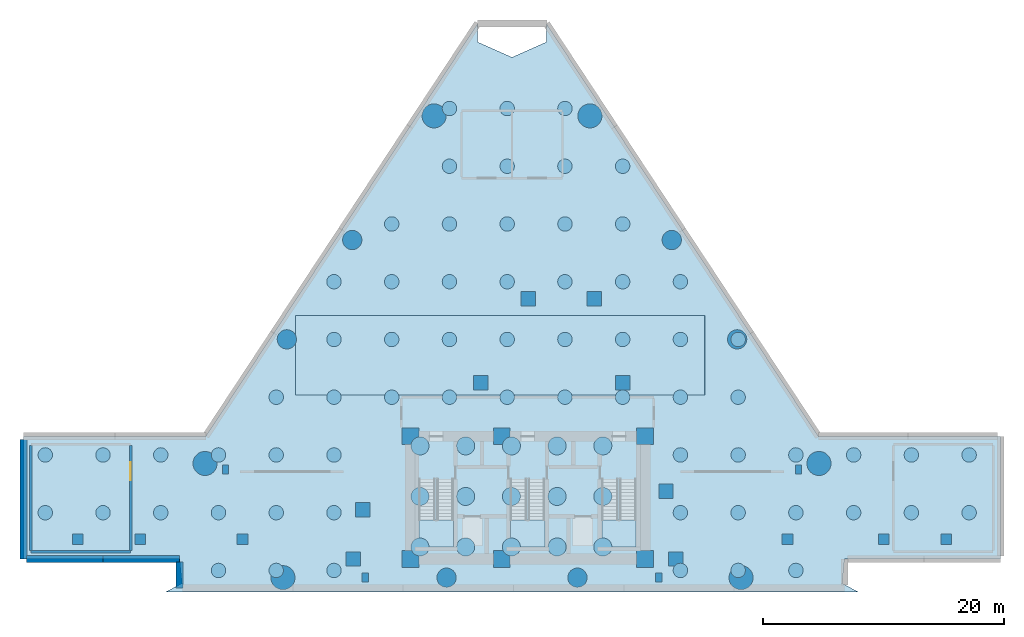
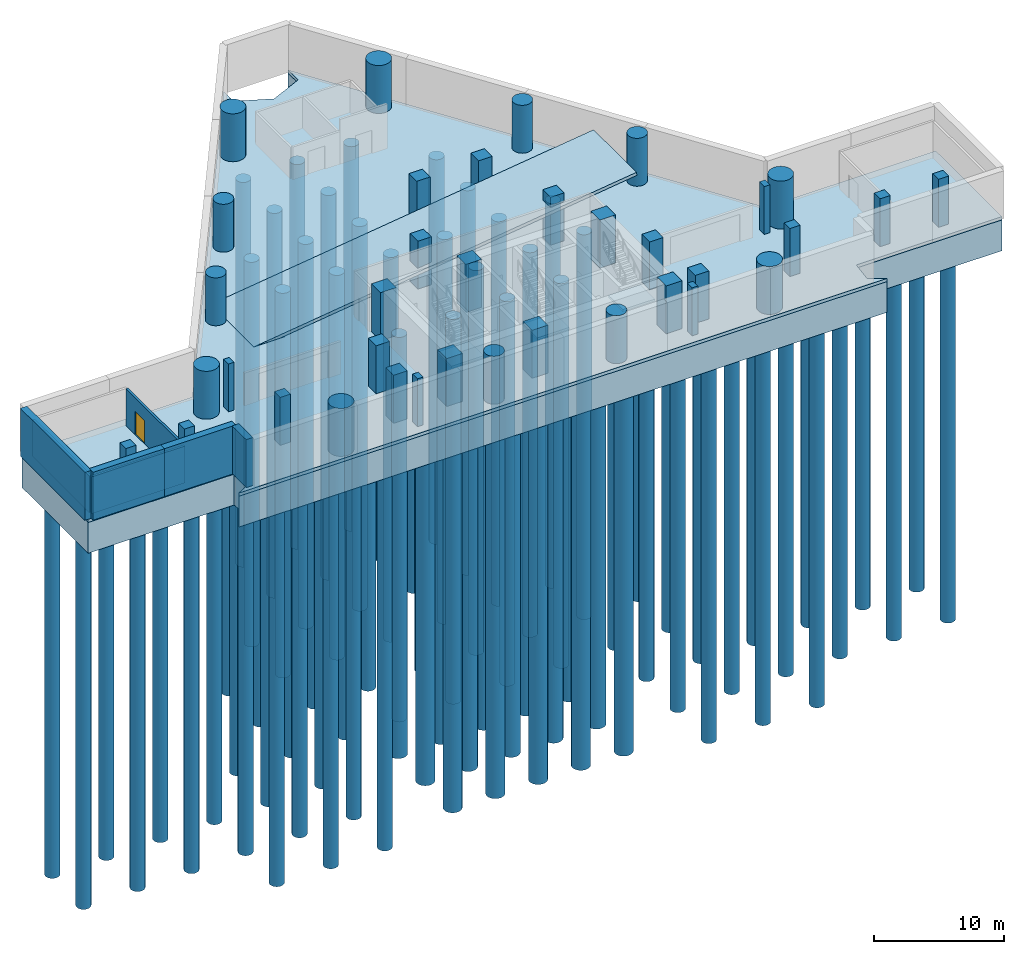
# One storey, part 1 of 5: 81 piles, 36 columns, 7 walls, 5 slabs, 1 door, 1 footing, 1 opening, 3 elements without a shape of their own.
"""IFC4 building model written with IfcOpenShell, lengths in metres."""

from ifc_helpers import new_model, si_unit, direction, frame, frame_2d, origin, origin_2d, place, context, subcontext, project, spatial, polyline, rectangle, circle, outline, extrude, material, layer, layer_set, material_profile, profile_set, type_object, element, fill, aggregate, save


model = new_model("IFC4")

# Units and contexts
model_context = context("Model", 3, precision=1e-05, world=origin(), true_north=direction((0.0, 1.0)))
body_context = subcontext(model_context, "Body", "Model", "MODEL_VIEW")
ifc_project = project(units=[si_unit("LENGTHUNIT", "METRE"), si_unit("AREAUNIT", "SQUARE_METRE"), si_unit("VOLUMEUNIT", "CUBIC_METRE"), si_unit("PLANEANGLEUNIT", "RADIAN"), si_unit("MASSUNIT", "GRAM", prefix="KILO")], contexts=[model_context])

# Site, building, storey
site_placement = place(None, origin())
site = spatial("IfcSite", under=ifc_project, at=site_placement, CompositionType="ELEMENT")
building_placement = place(site_placement, origin())
building = spatial("IfcBuilding", under=site, at=building_placement, Name="Almagre Mirador Tower", CompositionType="ELEMENT")
storey_placement = place(building_placement, frame((0.0, 0.0, -9.0)))
storey = spatial("IfcBuildingStorey", under=building, at=storey_placement, Name="B02", CompositionType="ELEMENT", Elevation=-9.0)

# Footing
ifc_material_1 = material(Name="Concrete C50/60", Category="concrete")
ifc_layer_1 = layer(ifc_material_1, 3.199951171875)
ifc_layer_set_1 = layer_set([ifc_layer_1], Name="Concrete C50/60")
footing_type = type_object("IfcFootingType", Name="FTG-MAT-3200", PredefinedType="PILE_CAP", material=ifc_layer_set_1)
footing_placement = place(storey_placement, frame((0.0, 0.0, -3.199951171875)))
element("IfcFooting", 1, at=footing_placement, inside=storey, type_object=footing_type, Name="Unified piled mat-raft foundation MAT-01", PredefinedType="PILE_CAP", context=body_context, shape_type="SweptSolid", body=[
    extrude(outline(polyline([(33.138916015625, 49.05810546875), (10.532958984375, 14.75), (-4.60009765625, 14.75), (-4.60009765625, 4.550048828125), (8.35205078125, 4.550048828125), (8.547119140625, 2.52587890625), (7.199951171875, 1.800048828125), (64.800048828125, 1.800048828125), (63.452880859375, 2.52587890625), (63.64794921875, 4.550048828125), (76.60009765625, 4.550048828125), (76.60009765625, 14.75), (61.467041015625, 14.75), (38.861083984375, 49.05810546875), (38.861083984375, 47.528076171875), (36.0, 46.256103515625), (33.138916015625, 47.528076171875), (33.138916015625, 49.05810546875)])), origin(), (0.0, 0.0, 1.0), 3.199951171875),
])

# Piles
ifc_material_2 = material(Name="Concrete C45/55", Category="concrete")
ifc_material_profile_1 = material_profile(ifc_material_2, circle(Radius=0.60009765625, at=origin_2d()), Name="PILE1200D")
ifc_profile_set_1 = profile_set([ifc_material_profile_1], Name="Concrete C45/55")
pile_type_1 = type_object("IfcPileType", Name="PILE-BORED-1200", PredefinedType="BORED", material=ifc_profile_set_1)
for number, where, z_axis, x_axis, name in (
    (2, (11.60009765625, 3.60009765625, -3.050048828125), (0.0, 0.0, -1.0), (1.0, 0.0, 0.0), "Perimeter bored pile PB-1200 01"),
    (3, (16.39990234375, 3.60009765625, -3.050048828125), (0.0, 0.0, -1.0), (1.0, 0.0, 0.0), "Perimeter bored pile PB-1200 02"),
    (4, (21.199951171875, 3.60009765625, -3.050048828125), (0.0, 0.0, -1.0), (1.0, 0.0, 0.0), "Perimeter bored pile PB-1200 03"),
    (5, (50.0, 3.60009765625, -3.050048828125), (0.0, 0.0, -1.0), (1.0, 0.0, 0.0), "Perimeter bored pile PB-1200 04"),
    (6, (54.800048828125, 3.60009765625, -3.050048828125), (0.0, 0.0, -1.0), (1.0, 0.0, 0.0), "Perimeter bored pile PB-1200 05"),
    (7, (59.60009765625, 3.60009765625, -3.050048828125), (0.0, 0.0, -1.0), (1.0, 0.0, 0.0), "Perimeter bored pile PB-1200 06"),
    (8, (-2.800048828125, 8.39990234375, -3.050048828125), (0.0, 0.0, -1.0), (1.0, 0.0, 0.0), "Perimeter bored pile PB-1200 07"),
    (9, (2.0, 8.39990234375, -3.050048828125), (0.0, 0.0, -1.0), (1.0, 0.0, 0.0), "Perimeter bored pile PB-1200 08"),
    (10, (6.800048828125, 8.39990234375, -3.050048828125), (0.0, 0.0, -1.0), (1.0, 0.0, 0.0), "Perimeter bored pile PB-1200 09"),
    (11, (11.60009765625, 8.39990234375, -3.050048828125), (0.0, 0.0, -1.0), (1.0, 0.0, 0.0), "Perimeter bored pile PB-1200 10"),
    (12, (16.39990234375, 8.39990234375, -3.050048828125), (0.0, 0.0, -1.0), (1.0, 0.0, 0.0), "Perimeter bored pile PB-1200 11"),
    (13, (21.199951171875, 8.39990234375, -3.050048828125), (0.0, 0.0, -1.0), (1.0, 0.0, 0.0), "Perimeter bored pile PB-1200 12"),
    (14, (50.0, 8.39990234375, -3.050048828125), (0.0, 0.0, -1.0), (1.0, 0.0, 0.0), "Perimeter bored pile PB-1200 13"),
    (15, (54.800048828125, 8.39990234375, -3.050048828125), (0.0, 0.0, -1.0), (1.0, 0.0, 0.0), "Perimeter bored pile PB-1200 14"),
    (16, (59.60009765625, 8.39990234375, -3.050048828125), (0.0, 0.0, -1.0), (1.0, 0.0, 0.0), "Perimeter bored pile PB-1200 15"),
    (17, (64.39990234375, 8.39990234375, -3.050048828125), (0.0, 0.0, -1.0), (1.0, 0.0, 0.0), "Perimeter bored pile PB-1200 16"),
    (18, (69.199951171875, 8.39990234375, -3.050048828125), (0.0, 0.0, -1.0), (1.0, 0.0, 0.0), "Perimeter bored pile PB-1200 17"),
    (19, (74.0, 8.39990234375, -3.050048828125), (0.0, 0.0, -1.0), (1.0, 0.0, 0.0), "Perimeter bored pile PB-1200 18"),
    (20, (-2.800048828125, 13.199951171875, -3.050048828125), (0.0, 0.0, -1.0), (1.0, 0.0, 0.0), "Perimeter bored pile PB-1200 19"),
    (21, (2.0, 13.199951171875, -3.050048828125), (0.0, 0.0, -1.0), (1.0, 0.0, 0.0), "Perimeter bored pile PB-1200 20"),
    (22, (6.800048828125, 13.199951171875, -3.050048828125), (0.0, 0.0, -1.0), (1.0, 0.0, 0.0), "Perimeter bored pile PB-1200 21"),
    (23, (11.60009765625, 13.199951171875, -3.050048828125), (0.0, 0.0, -1.0), (1.0, 0.0, 0.0), "Perimeter bored pile PB-1200 22"),
    (24, (16.39990234375, 13.199951171875, -3.050048828125), (0.0, 0.0, -1.0), (1.0, 0.0, 0.0), "Perimeter bored pile PB-1200 23"),
    (25, (21.199951171875, 13.199951171875, -3.050048828125), (0.0, 0.0, -1.0), (1.0, 0.0, 0.0), "Perimeter bored pile PB-1200 24"),
    (26, (50.0, 13.199951171875, -3.050048828125), (0.0, 0.0, -1.0), (1.0, 0.0, 0.0), "Perimeter bored pile PB-1200 25"),
    (27, (54.800048828125, 13.199951171875, -3.050048828125), (0.0, 0.0, -1.0), (1.0, 0.0, 0.0), "Perimeter bored pile PB-1200 26"),
    (28, (59.60009765625, 13.199951171875, -3.050048828125), (0.0, 0.0, -1.0), (1.0, 0.0, 0.0), "Perimeter bored pile PB-1200 27"),
    (29, (64.39990234375, 13.199951171875, -3.050048828125), (0.0, 0.0, -1.0), (1.0, 0.0, 0.0), "Perimeter bored pile PB-1200 28"),
    (30, (69.199951171875, 13.199951171875, -3.050048828125), (0.0, 0.0, -1.0), (1.0, 0.0, 0.0), "Perimeter bored pile PB-1200 29"),
    (31, (74.0, 13.199951171875, -3.050048828125), (0.0, 0.0, -1.0), (1.0, 0.0, 0.0), "Perimeter bored pile PB-1200 30"),
    (32, (16.39990234375, 18.0, -3.050048828125), (0.0, 0.0, -1.0), (1.0, 0.0, 0.0), "Perimeter bored pile PB-1200 31"),
    (33, (21.199951171875, 18.0, -3.050048828125), (0.0, 0.0, -1.0), (1.0, 0.0, 0.0), "Perimeter bored pile PB-1200 32"),
    (34, (26.0, 18.0, -3.050048828125), (0.0, 0.0, -1.0), (1.0, 0.0, 0.0), "Perimeter bored pile PB-1200 33"),
    (35, (30.800048828125, 18.0, -3.050048828125), (0.0, 0.0, -1.0), (1.0, 0.0, 0.0), "Perimeter bored pile PB-1200 34"),
    (36, (35.60009765625, 18.0, -3.050048828125), (0.0, 0.0, -1.0), (1.0, 0.0, 0.0), "Perimeter bored pile PB-1200 35"),
    (37, (40.39990234375, 18.0, -3.050048828125), (0.0, 0.0, -1.0), (1.0, 0.0, 0.0), "Perimeter bored pile PB-1200 36"),
    (38, (45.199951171875, 18.0, -3.050048828125), (0.0, 0.0, -1.0), (1.0, 0.0, 0.0), "Perimeter bored pile PB-1200 37"),
    (39, (50.0, 18.0, -3.050048828125), (0.0, 0.0, -1.0), (1.0, 0.0, 0.0), "Perimeter bored pile PB-1200 38"),
    (40, (54.800048828125, 18.0, -3.050048828125), (0.0, 0.0, -1.0), (1.0, 0.0, 0.0), "Perimeter bored pile PB-1200 39"),
    (41, (21.199951171875, 22.800048828125, -3.050048828125), (0.0, 0.0, -1.0), (1.0, 0.0, 0.0), "Perimeter bored pile PB-1200 40"),
    (42, (26.0, 22.800048828125, -3.050048828125), (0.0, 0.0, -1.0), (1.0, 0.0, 0.0), "Perimeter bored pile PB-1200 41"),
    (43, (30.800048828125, 22.800048828125, -3.050048828125), (0.0, 0.0, -1.0), (1.0, 0.0, 0.0), "Perimeter bored pile PB-1200 42"),
    (44, (35.60009765625, 22.800048828125, -3.050048828125), (0.0, 0.0, -1.0), (1.0, 0.0, 0.0), "Perimeter bored pile PB-1200 43"),
    (45, (40.39990234375, 22.800048828125, -3.050048828125), (0.0, 0.0, -1.0), (1.0, 0.0, 0.0), "Perimeter bored pile PB-1200 44"),
    (46, (45.199951171875, 22.800048828125, -3.050048828125), (0.0, 0.0, -1.0), (1.0, 0.0, 0.0), "Perimeter bored pile PB-1200 45"),
    (47, (50.0, 22.800048828125, -3.050048828125), (0.0, 0.0, -1.0), (1.0, 0.0, 0.0), "Perimeter bored pile PB-1200 46"),
    (48, (54.800048828125, 22.800048828125, -3.050048828125), (0.0, 0.0, -1.0), (1.0, 0.0, 0.0), "Perimeter bored pile PB-1200 47"),
    (49, (21.199951171875, 27.60009765625, -3.050048828125), (0.0, 0.0, -1.0), (1.0, 0.0, 0.0), "Perimeter bored pile PB-1200 48"),
    (50, (26.0, 27.60009765625, -3.050048828125), (0.0, 0.0, -1.0), (1.0, 0.0, 0.0), "Perimeter bored pile PB-1200 49"),
    (51, (30.800048828125, 27.60009765625, -3.050048828125), (0.0, 0.0, -1.0), (1.0, 0.0, 0.0), "Perimeter bored pile PB-1200 50"),
    (52, (35.60009765625, 27.60009765625, -3.050048828125), (0.0, 0.0, -1.0), (1.0, 0.0, 0.0), "Perimeter bored pile PB-1200 51"),
    (53, (40.39990234375, 27.60009765625, -3.050048828125), (0.0, 0.0, -1.0), (1.0, 0.0, 0.0), "Perimeter bored pile PB-1200 52"),
    (54, (45.199951171875, 27.60009765625, -3.050048828125), (0.0, 0.0, -1.0), (1.0, 0.0, 0.0), "Perimeter bored pile PB-1200 53"),
    (55, (50.0, 27.60009765625, -3.050048828125), (0.0, 0.0, -1.0), (1.0, 0.0, 0.0), "Perimeter bored pile PB-1200 54"),
    (56, (26.0, 32.39990234375, -3.050048828125), (0.0, 0.0, -1.0), (1.0, 0.0, 0.0), "Perimeter bored pile PB-1200 55"),
    (57, (30.800048828125, 32.39990234375, -3.050048828125), (0.0, 0.0, -1.0), (1.0, 0.0, 0.0), "Perimeter bored pile PB-1200 56"),
    (58, (35.60009765625, 32.39990234375, -3.050048828125), (0.0, 0.0, -1.0), (1.0, 0.0, 0.0), "Perimeter bored pile PB-1200 57"),
    (59, (40.39990234375, 32.39990234375, -3.050048828125), (0.0, 0.0, -1.0), (1.0, 0.0, 0.0), "Perimeter bored pile PB-1200 58"),
    (60, (45.199951171875, 32.39990234375, -3.050048828125), (0.0, 0.0, -1.0), (1.0, 0.0, 0.0), "Perimeter bored pile PB-1200 59"),
    (61, (30.800048828125, 37.199951171875, -3.050048828125), (0.0, 0.0, -1.0), (1.0, 0.0, 0.0), "Perimeter bored pile PB-1200 60"),
    (62, (35.60009765625, 37.199951171875, -3.050048828125), (0.0, 0.0, -1.0), (1.0, 0.0, 0.0), "Perimeter bored pile PB-1200 61"),
    (63, (40.39990234375, 37.199951171875, -3.050048828125), (0.0, 0.0, -1.0), (1.0, 0.0, 0.0), "Perimeter bored pile PB-1200 62"),
    (64, (45.199951171875, 37.199951171875, -3.050048828125), (0.0, 0.0, -1.0), (1.0, 0.0, 0.0), "Perimeter bored pile PB-1200 63"),
    (65, (30.800048828125, 42.0, -3.050048828125), (0.0, 0.0, -1.0), (1.0, 0.0, 0.0), "Perimeter bored pile PB-1200 64"),
    (66, (35.60009765625, 42.0, -3.050048828125), (0.0, 0.0, -1.0), (1.0, 0.0, 0.0), "Perimeter bored pile PB-1200 65"),
    (67, (40.39990234375, 42.0, -3.050048828125), (0.0, 0.0, -1.0), (1.0, 0.0, 0.0), "Perimeter bored pile PB-1200 66"),
):
    element("IfcPile", number, at=place(storey_placement, frame(where, z_axis=z_axis, x_axis=x_axis)), inside=storey, type_object=pile_type_1, Name=name, PredefinedType="BORED", context=body_context, shape_type="SweptSolid", body=[
        extrude(circle(Radius=0.60009765625, at=origin_2d()), origin(), (0.0, 0.0, 1.0), 36.14990234375),
    ])
ifc_material_3 = material(Name="Concrete C45/55", Category="concrete")
ifc_material_profile_2 = material_profile(ifc_material_3, circle(Radius=0.75, at=origin_2d()), Name="PILE1500D")
ifc_profile_set_2 = profile_set([ifc_material_profile_2], Name="Concrete C45/55")
pile_type_2 = type_object("IfcPileType", Name="PILE-BORED-1500", PredefinedType="BORED", material=ifc_profile_set_2)
for number, where, z_axis, x_axis, name in (
    (68, (28.35009765625, 5.550048828125, -3.050048828125), (0.0, 0.0, -1.0), (1.0, 0.0, 0.0), "Core bored pile PB-1500 01"),
    (69, (28.35009765625, 9.75, -3.050048828125), (0.0, 0.0, -1.0), (1.0, 0.0, 0.0), "Core bored pile PB-1500 02"),
    (70, (28.35009765625, 13.949951171875, -3.050048828125), (0.0, 0.0, -1.0), (1.0, 0.0, 0.0), "Core bored pile PB-1500 03"),
    (71, (32.14990234375, 5.550048828125, -3.050048828125), (0.0, 0.0, -1.0), (1.0, 0.0, 0.0), "Core bored pile PB-1500 04"),
    (72, (32.14990234375, 9.75, -3.050048828125), (0.0, 0.0, -1.0), (1.0, 0.0, 0.0), "Core bored pile PB-1500 05"),
    (73, (32.14990234375, 13.949951171875, -3.050048828125), (0.0, 0.0, -1.0), (1.0, 0.0, 0.0), "Core bored pile PB-1500 06"),
    (74, (35.949951171875, 5.550048828125, -3.050048828125), (0.0, 0.0, -1.0), (1.0, 0.0, 0.0), "Core bored pile PB-1500 07"),
    (75, (35.949951171875, 9.75, -3.050048828125), (0.0, 0.0, -1.0), (1.0, 0.0, 0.0), "Core bored pile PB-1500 08"),
    (76, (35.949951171875, 13.949951171875, -3.050048828125), (0.0, 0.0, -1.0), (1.0, 0.0, 0.0), "Core bored pile PB-1500 09"),
    (77, (39.75, 5.550048828125, -3.050048828125), (0.0, 0.0, -1.0), (1.0, 0.0, 0.0), "Core bored pile PB-1500 10"),
    (78, (39.75, 9.75, -3.050048828125), (0.0, 0.0, -1.0), (1.0, 0.0, 0.0), "Core bored pile PB-1500 11"),
    (79, (39.75, 13.949951171875, -3.050048828125), (0.0, 0.0, -1.0), (1.0, 0.0, 0.0), "Core bored pile PB-1500 12"),
    (80, (43.550048828125, 5.550048828125, -3.050048828125), (0.0, 0.0, -1.0), (1.0, 0.0, 0.0), "Core bored pile PB-1500 13"),
    (81, (43.550048828125, 9.75, -3.050048828125), (0.0, 0.0, -1.0), (1.0, 0.0, 0.0), "Core bored pile PB-1500 14"),
    (82, (43.550048828125, 13.949951171875, -3.050048828125), (0.0, 0.0, -1.0), (1.0, 0.0, 0.0), "Core bored pile PB-1500 15"),
):
    element("IfcPile", number, at=place(storey_placement, frame(where, z_axis=z_axis, x_axis=x_axis)), inside=storey, type_object=pile_type_2, Name=name, PredefinedType="BORED", context=body_context, shape_type="SweptSolid", body=[
        extrude(circle(Radius=0.75, at=origin_2d()), origin(), (0.0, 0.0, 1.0), 36.14990234375),
    ])

# Columns
ifc_material_4 = material(Name="Precast concrete C50/60", Category="concrete")
ifc_material_profile_3 = material_profile(ifc_material_4, rectangle(XDim=0.5, YDim=0.75, at=origin_2d()), Name="RC500X750")
ifc_profile_set_3 = profile_set([ifc_material_profile_3], Name="Precast concrete C50/60")
column_type_1 = type_object("IfcColumnType", Name="COL-PIL-500X750", PredefinedType="PILASTER", material=ifc_profile_set_3)
for number, where, z_axis, x_axis, name in (
    (83, (23.800048828125, 3.0, 0.0), (0.0, 0.0, 1.0), (1.0, 0.0, 0.0), "B02 expressed frame pilaster 01"),
    (84, (48.199951171875, 3.0, 0.0), (0.0, 0.0, 1.0), (1.0, 0.0, 0.0), "B02 expressed frame pilaster 02"),
    (85, (12.199951171875, 12.0, 0.0), (0.0, 0.0, 1.0), (1.0, 0.0, 0.0), "B02 expressed frame pilaster 03"),
    (86, (59.800048828125, 12.0, 0.0), (0.0, 0.0, 1.0), (1.0, 0.0, 0.0), "B02 expressed frame pilaster 04"),
):
    element("IfcColumn", number, at=place(storey_placement, frame(where, z_axis=z_axis, x_axis=x_axis)), inside=storey, type_object=column_type_1, Name=name, PredefinedType="PILASTER", context=body_context, shape_type="SweptSolid", body=[
        extrude(rectangle(XDim=0.5, YDim=0.75, at=origin_2d()), origin(), (0.0, 0.0, 1.0), 4.5),
    ])
ifc_material_5 = material(Name="Concrete C60/75", Category="concrete")
ifc_material_profile_4 = material_profile(ifc_material_5, rectangle(XDim=1.199951171875, YDim=1.199951171875, at=origin_2d()), Name="RC1200X1200")
ifc_profile_set_4 = profile_set([ifc_material_profile_4], Name="Concrete C60/75")
column_type_2 = type_object("IfcColumnType", Name="COL-RC1200", PredefinedType="COLUMN", material=ifc_profile_set_4)
for number, where, z_axis, x_axis, name in (
    (87, (22.800048828125, 4.550048828125, 0.0), (0.0, 0.0, 1.0), (1.0, 0.0, 0.0), "B02 interior transfer column MC1"),
    (88, (49.60009765625, 4.550048828125, 0.0), (0.0, 0.0, 1.0), (1.0, 0.0, 0.0), "B02 interior transfer column MC2"),
    (89, (48.800048828125, 10.199951171875, 0.0), (0.0, 0.0, 1.0), (1.0, 0.0, 0.0), "B02 interior transfer column MC3"),
    (90, (45.199951171875, 19.199951171875, 0.0), (0.0, 0.0, 1.0), (1.0, 0.0, 0.0), "B02 interior transfer column MC5"),
    (91, (42.85009765625, 26.199951171875, 0.0), (0.0, 0.0, 1.0), (1.0, 0.0, 0.0), "B02 interior transfer column MC6"),
    (92, (37.35009765625, 26.199951171875, 0.0), (0.0, 0.0, 1.0), (1.0, 0.0, 0.0), "B02 interior transfer column MC7"),
    (93, (33.39990234375, 19.199951171875, 0.0), (0.0, 0.0, 1.0), (1.0, 0.0, 0.0), "B02 interior transfer column MC8"),
    (94, (23.60009765625, 8.64990234375, 0.0), (0.0, 0.0, 1.0), (1.0, 0.0, 0.0), "B02 interior transfer column MC10"),
):
    element("IfcColumn", number, at=place(storey_placement, frame(where, z_axis=z_axis, x_axis=x_axis)), inside=storey, type_object=column_type_2, Name=name, PredefinedType="COLUMN", context=body_context, shape_type="SweptSolid", body=[
        extrude(rectangle(XDim=1.199951171875, YDim=1.199951171875, at=origin_2d()), origin(), (0.0, 0.0, 1.0), 4.5),
    ])
ifc_material_6 = material(Name="Concrete C60/75", Category="concrete")
ifc_material_profile_5 = material_profile(ifc_material_6, rectangle(XDim=1.39990234375, YDim=1.39990234375, at=origin_2d()), Name="RC1400X1400")
ifc_profile_set_5 = profile_set([ifc_material_profile_5], Name="Concrete C60/75")
column_type_3 = type_object("IfcColumnType", Name="COL-RC1400", PredefinedType="COLUMN", material=ifc_profile_set_5)
for number, where, z_axis, x_axis, name in (
    (95, (27.550048828125, 4.550048828125, 0.0), (0.0, 0.0, 1.0), (1.0, 0.0, 0.0), "B02 core spine column CC1"),
    (96, (35.14990234375, 4.550048828125, 0.0), (0.0, 0.0, 1.0), (1.0, 0.0, 0.0), "B02 core spine column CC2"),
    (97, (47.050048828125, 4.550048828125, 0.0), (0.0, 0.0, 1.0), (1.0, 0.0, 0.0), "B02 core spine column CC3"),
    (98, (27.550048828125, 14.75, 0.0), (0.0, 0.0, 1.0), (1.0, 0.0, 0.0), "B02 core spine column CC4"),
    (99, (35.14990234375, 14.75, 0.0), (0.0, 0.0, 1.0), (1.0, 0.0, 0.0), "B02 core spine column CC5"),
    (100, (47.050048828125, 14.75, 0.0), (0.0, 0.0, 1.0), (1.0, 0.0, 0.0), "B02 core spine column CC6"),
):
    element("IfcColumn", number, at=place(storey_placement, frame(where, z_axis=z_axis, x_axis=x_axis)), inside=storey, type_object=column_type_3, Name=name, PredefinedType="COLUMN", context=body_context, shape_type="SweptSolid", body=[
        extrude(rectangle(XDim=1.39990234375, YDim=1.39990234375, at=origin_2d()), origin(), (0.0, 0.0, 1.0), 4.5),
    ])
ifc_material_7 = material(Name="Concrete C70/85", Category="concrete")
ifc_material_profile_6 = material_profile(ifc_material_7, circle(Radius=0.800048828125, at=origin_2d()), Name="RC1600D")
ifc_profile_set_6 = profile_set([ifc_material_profile_6], Name="Concrete C70/85")
column_type_4 = type_object("IfcColumnType", Name="COL-RC1600D", PredefinedType="COLUMN", material=ifc_profile_set_6)
for number, where, z_axis, x_axis, name in (
    (101, (30.56005859375, 3.0, 0.0), (0.0, 0.0, 1.0), (1.0, 0.0, 0.0), "B02 perimeter column PC02"),
    (102, (41.43994140625, 3.0, 0.0), (0.0, 0.0, 1.0), (1.0, 0.0, 0.0), "B02 perimeter column PC03"),
    (103, (54.718017578125, 22.81201171875, 0.0), (0.0, 0.0, 1.0), (1.0, 0.0, 0.0), "B02 perimeter column PC06"),
    (104, (49.278076171875, 31.068115234375, 0.0), (0.0, 0.0, 1.0), (1.0, 0.0, 0.0), "B02 perimeter column PC07"),
    (105, (22.721923828125, 31.068115234375, 0.0), (0.0, 0.0, 1.0), (1.0, 0.0, 0.0), "B02 perimeter column PC10"),
    (106, (17.281982421875, 22.81201171875, 0.0), (0.0, 0.0, 1.0), (1.0, 0.0, 0.0), "B02 perimeter column PC11"),
):
    element("IfcColumn", number, at=place(storey_placement, frame(where, z_axis=z_axis, x_axis=x_axis)), inside=storey, type_object=column_type_4, Name=name, PredefinedType="COLUMN", context=body_context, shape_type="SweptSolid", body=[
        extrude(circle(Radius=0.800048828125, at=origin_2d()), origin(), (0.0, 0.0, 1.0), 4.5),
    ])
ifc_material_8 = material(Name="Concrete C70/85", Category="concrete")
ifc_material_profile_7 = material_profile(ifc_material_8, circle(Radius=1.0, at=origin_2d()), Name="RC2000D")
ifc_profile_set_7 = profile_set([ifc_material_profile_7], Name="Concrete C70/85")
column_type_5 = type_object("IfcColumnType", Name="COL-RC2000D", PredefinedType="COLUMN", material=ifc_profile_set_7)
for number, where, z_axis, x_axis, name in (
    (107, (16.9599609375, 3.0, 0.0), (0.0, 0.0, 1.0), (1.0, 0.0, 0.0), "B02 perimeter column PC01"),
    (108, (55.0400390625, 3.0, 0.0), (0.0, 0.0, 1.0), (1.0, 0.0, 0.0), "B02 perimeter column PC04"),
    (109, (61.51806640625, 12.491943359375, 0.0), (0.0, 0.0, 1.0), (1.0, 0.0, 0.0), "B02 perimeter column PC05"),
    (110, (42.47802734375, 41.387939453125, 0.0), (0.0, 0.0, 1.0), (1.0, 0.0, 0.0), "B02 perimeter column PC08"),
    (111, (29.52197265625, 41.387939453125, 0.0), (0.0, 0.0, 1.0), (1.0, 0.0, 0.0), "B02 perimeter column PC09"),
    (112, (10.48193359375, 12.491943359375, 0.0), (0.0, 0.0, 1.0), (1.0, 0.0, 0.0), "B02 perimeter column PC12"),
):
    element("IfcColumn", number, at=place(storey_placement, frame(where, z_axis=z_axis, x_axis=x_axis)), inside=storey, type_object=column_type_5, Name=name, PredefinedType="COLUMN", context=body_context, shape_type="SweptSolid", body=[
        extrude(circle(Radius=1.0, at=origin_2d()), origin(), (0.0, 0.0, 1.0), 4.5),
    ])
ifc_material_9 = material(Name="Concrete C60/75", Category="concrete")
ifc_material_profile_8 = material_profile(ifc_material_9, rectangle(XDim=0.89990234375, YDim=0.89990234375, at=origin_2d()), Name="RC900X900")
ifc_profile_set_8 = profile_set([ifc_material_profile_8], Name="Concrete C60/75")
column_type_6 = type_object("IfcColumnType", Name="COL-RC900", PredefinedType="COLUMN", material=ifc_profile_set_8)
for number, where, z_axis, x_axis, name in (
    (113, (-0.10009765625, 6.199951171875, 0.0), (0.0, 0.0, 1.0), (1.0, 0.0, 0.0), "B02 substructure wing column BCW1"),
    (114, (5.10009765625, 6.199951171875, 0.0), (0.0, 0.0, 1.0), (1.0, 0.0, 0.0), "B02 substructure wing column BCW2"),
    (115, (13.60009765625, 6.199951171875, 0.0), (0.0, 0.0, 1.0), (1.0, 0.0, 0.0), "B02 substructure wing column BCW3"),
    (116, (72.10009765625, 6.199951171875, 0.0), (0.0, 0.0, 1.0), (1.0, 0.0, 0.0), "B02 substructure wing column BCE1"),
    (117, (66.89990234375, 6.199951171875, 0.0), (0.0, 0.0, 1.0), (1.0, 0.0, 0.0), "B02 substructure wing column BCE2"),
    (118, (58.89990234375, 6.199951171875, 0.0), (0.0, 0.0, 1.0), (1.0, 0.0, 0.0), "B02 substructure wing column BCE3"),
):
    element("IfcColumn", number, at=place(storey_placement, frame(where, z_axis=z_axis, x_axis=x_axis)), inside=storey, type_object=column_type_6, Name=name, PredefinedType="COLUMN", context=body_context, shape_type="SweptSolid", body=[
        extrude(rectangle(XDim=0.89990234375, YDim=0.89990234375, at=origin_2d()), origin(), (0.0, 0.0, 1.0), 4.5),
    ])

# Slab
ifc_material_10 = material(Name="Concrete C45/55", Category="concrete")
ifc_layer_2 = layer(ifc_material_10, 0.300048828125)
ifc_layer_set_2 = layer_set([ifc_layer_2], Name="Concrete C45/55")
slab_type_1 = type_object("IfcSlabType", Name="SLB-BASE-300", PredefinedType="BASESLAB", material=ifc_layer_set_2)
slab_1_placement = place(storey_placement, frame((0.0, 0.0, -0.300048828125)))
element("IfcSlab", 119, at=slab_1_placement, inside=storey, type_object=slab_type_1, Name="B02 structural basement slab SB-300", PredefinedType="BASESLAB", context=body_context, shape_type="SweptSolid", body=[
    extrude(outline(polyline([(33.138916015625, 49.05810546875), (10.532958984375, 14.75), (-4.60009765625, 14.75), (-4.60009765625, 4.550048828125), (8.35205078125, 4.550048828125), (8.547119140625, 2.52587890625), (7.199951171875, 1.800048828125), (64.800048828125, 1.800048828125), (63.452880859375, 2.52587890625), (63.64794921875, 4.550048828125), (76.60009765625, 4.550048828125), (76.60009765625, 14.75), (61.467041015625, 14.75), (38.861083984375, 49.05810546875), (38.861083984375, 47.528076171875), (36.0, 46.256103515625), (33.138916015625, 47.528076171875), (33.138916015625, 49.05810546875)]), holes=[polyline([(18.0, 24.800048828125), (20.800048828125, 24.800048828125), (20.800048828125, 18.199951171875), (18.0, 18.199951171875), (18.0, 24.800048828125)])]), origin(), (0.0, 0.0, 1.0), 0.300048828125),
])

# Stair, slab
ifc_material_11 = material(Name="Concrete C45/55", Category="concrete")
stair_type = type_object("IfcStairType", Name="STR-DL-4500", PredefinedType="HALF_TURN_STAIR", material=ifc_material_11)
stair_1_placement = place(storey_placement, origin())
stair_1 = element("IfcStair", 120, at=stair_1_placement, inside=storey, type_object=stair_type, Name="B02 Protected exit stair ST-1", PredefinedType="HALF_TURN_STAIR")
ifc_material_12 = material(Name="Concrete C45/55", Category="concrete")
ifc_layer_3 = layer(ifc_material_12, 0.199951171875)
ifc_layer_set_3 = layer_set([ifc_layer_3], Name="Concrete C45/55")
slab_type_2 = type_object("IfcSlabType", Name="SLB-LND-200", PredefinedType="LANDING", material=ifc_layer_set_3)
slab_2_placement = place(storey_placement, frame((0.0, 0.0, 2.050048828125)))
slab_2 = element("IfcSlab", 121, at=slab_2_placement, type_object=slab_type_2, Name="ST-1 landing 1", PredefinedType="LANDING", context=body_context, shape_type="SweptSolid", body=[
    extrude(outline(polyline([(28.27490234375, 7.780029296875), (28.27490234375, 5.550048828125), (31.125, 5.550048828125), (31.125, 7.780029296875), (28.27490234375, 7.780029296875)])), origin(), (0.0, 0.0, 1.0), 0.199951171875),
])
aggregate(stair_1, [slab_2])

stair_2_placement = place(storey_placement, origin())
stair_2 = element("IfcStair", 122, at=stair_2_placement, inside=storey, type_object=stair_type, Name="B02 Protected exit stair ST-2", PredefinedType="HALF_TURN_STAIR")
slab_3_placement = place(storey_placement, frame((0.0, 0.0, 2.050048828125)))
slab_3 = element("IfcSlab", 123, at=slab_3_placement, type_object=slab_type_2, Name="ST-2 landing 1", PredefinedType="LANDING", context=body_context, shape_type="SweptSolid", body=[
    extrude(outline(polyline([(35.875, 7.780029296875), (35.875, 5.550048828125), (38.72509765625, 5.550048828125), (38.72509765625, 7.780029296875), (35.875, 7.780029296875)])), origin(), (0.0, 0.0, 1.0), 0.199951171875),
])
aggregate(stair_2, [slab_3])

stair_3_placement = place(storey_placement, origin())
stair_3 = element("IfcStair", 124, at=stair_3_placement, inside=storey, type_object=stair_type, Name="B02 Protected exit stair ST-3", PredefinedType="HALF_TURN_STAIR")
slab_4_placement = place(storey_placement, frame((0.0, 0.0, 2.050048828125)))
slab_4 = element("IfcSlab", 125, at=slab_4_placement, type_object=slab_type_2, Name="ST-3 landing 1", PredefinedType="LANDING", context=body_context, shape_type="SweptSolid", body=[
    extrude(outline(polyline([(43.47509765625, 7.780029296875), (43.47509765625, 5.550048828125), (46.324951171875, 5.550048828125), (46.324951171875, 7.780029296875), (43.47509765625, 7.780029296875)])), origin(), (0.0, 0.0, 1.0), 0.199951171875),
])
aggregate(stair_3, [slab_4])

# Slab
ifc_material_13 = material(Name="Concrete C45/55", Category="concrete")
ifc_layer_4 = layer(ifc_material_13, 0.300048828125)
ifc_layer_set_4 = layer_set([ifc_layer_4], Name="Concrete C45/55")
slab_type_3 = type_object("IfcSlabType", Name="SLB-RMP-300", PredefinedType="FLOOR", material=ifc_layer_set_4)
slab_5_placement = place(storey_placement, frame((18.0, 18.199951171875, 0.0), z_axis=(-0.131208719028, 0.0, 0.99135476599), x_axis=(0.99135476599, 0.0, 0.131208719028)))
element("IfcSlab", 126, at=slab_5_placement, inside=storey, type_object=slab_type_3, Name="Car park vehicular ramp R1 B02 flight", PredefinedType="FLOOR", context=body_context, shape_type="SweptSolid", body=[
    extrude(outline(polyline([(0.0, 0.0), (34.29650127928504, 0.0), (34.29650127928504, 6.60009765625), (0.0, 6.60009765625), (0.0, 0.0)])), origin(), (0.0, 0.0, -1.0), 0.300048828125),
])

# Walls
ifc_material_14 = material(Name="Gypsum acoustic stud partition", Category="other")
ifc_layer_5 = layer(ifc_material_14, 0.199951171875)
ifc_layer_set_5 = layer_set([ifc_layer_5], Name="Gypsum acoustic stud partition")
wall_type_1 = type_object("IfcWallType", Name="WAL-PRT-200-EI60", PredefinedType="PARTITIONING", material=ifc_layer_set_5)
wall_1_placement = place(storey_placement, frame((-4.0, 5.14990234375, 0.0), z_axis=(0.0, 0.0, 1.0), x_axis=(1.0, 0.0, 0.0)))
element("IfcWall", 127, at=wall_1_placement, inside=storey, type_object=wall_type_1, Name="B02 West District Chilled-Water Plant Room S fire partition", PredefinedType="PARTITIONING", context=body_context, shape_type="SweptSolid", body=[
    extrude(rectangle(XDim=8.300048828125, YDim=0.199951171875, at=frame_2d((4.14990234375, 0.0))), origin(), (0.0, 0.0, 1.0), 3.464111328125),
])
wall_2_placement = place(storey_placement, frame((-4.0, 5.2548828125, 0.0), z_axis=(0.0, 0.0, 1.0), x_axis=(0.0, 1.0, 0.0)))
element("IfcWall", 128, at=wall_2_placement, inside=storey, type_object=wall_type_1, Name="B02 West District Chilled-Water Plant Room W fire partition", PredefinedType="PARTITIONING", context=body_context, shape_type="SweptSolid", body=[
    extrude(rectangle(XDim=8.740234375, YDim=0.199951171875, at=frame_2d((4.3701171875, 0.0))), origin(), (0.0, 0.0, 1.0), 3.464111328125),
])

# Wall, opening, door
wall_3_placement = place(storey_placement, frame((4.300048828125, 5.2548828125, 0.0), z_axis=(0.0, 0.0, 1.0), x_axis=(0.0, 1.0, 0.0)))
wall_3 = element("IfcWall", 129, at=wall_3_placement, inside=storey, type_object=wall_type_1, Name="B02 West District Chilled-Water Plant Room E fire partition", PredefinedType="PARTITIONING", context=body_context, shape_type="SweptSolid", body=[
    extrude(rectangle(XDim=8.740234375, YDim=0.199951171875, at=frame_2d((4.3701171875, 0.0))), origin(), (0.0, 0.0, 1.0), 3.464111328125),
])
opening_placement = place(wall_3_placement, frame((5.844970703125, 0.0, 0.0)))
opening = element("IfcOpeningElement", 130, at=opening_placement, cuts=wall_3, Name="Opening ID-04", PredefinedType="OPENING", context=body_context, shape_type="SweptSolid", body=[
    extrude(rectangle(XDim=1.5, YDim=2.199951171875, at=frame_2d((0.75, 1.10009765625))), frame((0.0, 0.110098, 0.0), z_axis=(0.0, -1.0, 0.0), x_axis=(1.0, 0.0, 0.0)), (0.0, 0.0, 1.0), 0.219951),
])
ifc_material_15 = material(Name="Fire-rated hollow steel", Category="steel")
door_type = type_object("IfcDoorType", Name="DOR-FD60-1500X2200", OperationType="DOUBLE_DOOR_SINGLE_SWING", PredefinedType="DOOR", material=ifc_material_15)
door_placement = place(opening_placement, origin())
door = element("IfcDoor", 131, at=door_placement, inside=storey, type_object=door_type, Name="DR-0001 B02 West District Chilled-Water Plant Room double fire door", OperationType="DOUBLE_DOOR_SINGLE_SWING", OverallHeight=2.199951171875, OverallWidth=1.5, PredefinedType="DOOR", context=body_context, shape_type="SweptSolid", body=[
    extrude(rectangle(XDim=1.5, YDim=2.199951171875, at=frame_2d((0.75, 1.10009765625))), frame((0.0, 0.02490234375, 0.0), z_axis=(0.0, -1.0, 0.0), x_axis=(1.0, 0.0, 0.0)), (0.0, 0.0, 1.0), 0.050048828125),
])
fill(opening, door)

# Walls
ifc_material_16 = material(Name="Concrete C50/60", Category="concrete")
ifc_layer_6 = layer(ifc_material_16, 0.60009765625)
ifc_layer_set_6 = layer_set([ifc_layer_6], Name="Concrete C50/60")
wall_type_2 = type_object("IfcWallType", Name="WAL-RET-600", PredefinedType="USERDEFINED", material=ifc_layer_set_6)
wall_4_placement = place(storey_placement, frame((-4.60009765625, 14.489990234375, 0.0), z_axis=(0.0, 0.0, 1.0), x_axis=(0.0, -1.0, 0.0)))
element("IfcWall", 132, at=wall_4_placement, inside=storey, type_object=wall_type_2, Name="B02 perimeter retaining wall 03.1", ObjectType="RETAININGWALL", PredefinedType="USERDEFINED", context=body_context, shape_type="SweptSolid", body=[
    extrude(rectangle(XDim=9.93994140625, YDim=0.60009765625, at=frame_2d((4.969970703125, 0.0))), origin(), (0.0, 0.0, 1.0), 4.5),
])
wall_5_placement = place(storey_placement, frame((-4.340087890625, 4.550048828125, 0.0), z_axis=(0.0, 0.0, 1.0), x_axis=(1.0, 0.0, 0.0)))
element("IfcWall", 133, at=wall_5_placement, inside=storey, type_object=wall_type_2, Name="B02 perimeter retaining wall 04.1", ObjectType="RETAININGWALL", PredefinedType="USERDEFINED", context=body_context, shape_type="SweptSolid", body=[
    extrude(rectangle(XDim=6.34619140625, YDim=0.60009765625, at=frame_2d((3.173095703125, 0.0))), origin(), (0.0, 0.0, 1.0), 4.5),
])
wall_6_placement = place(storey_placement, frame((2.006103515625, 4.550048828125, 0.0), z_axis=(0.0, 0.0, 1.0), x_axis=(1.0, 0.0, 0.0)))
element("IfcWall", 134, at=wall_6_placement, inside=storey, type_object=wall_type_2, Name="B02 perimeter retaining wall 04.2", ObjectType="RETAININGWALL", PredefinedType="USERDEFINED", context=body_context, shape_type="SweptSolid", body=[
    extrude(rectangle(XDim=6.345947265625, YDim=0.60009765625, at=frame_2d((3.1728515625, 0.0))), origin(), (0.0, 0.0, 1.0), 4.5),
])
wall_7_placement = place(storey_placement, frame((8.35205078125, 4.2900390625, 0.0), z_axis=(0.0, 0.0, 1.0), x_axis=(0.0, -1.0, 0.0)))
element("IfcWall", 135, at=wall_7_placement, inside=storey, type_object=wall_type_2, Name="B02 perimeter retaining wall 05.1", ObjectType="RETAININGWALL", PredefinedType="USERDEFINED", context=body_context, shape_type="SweptSolid", body=[
    extrude(rectangle(XDim=2.14013671875, YDim=0.60009765625, at=frame_2d((1.070068359375, 0.0))), origin(), (0.0, 0.0, 1.0), 4.5),
])

save(model, "model.ifc")
